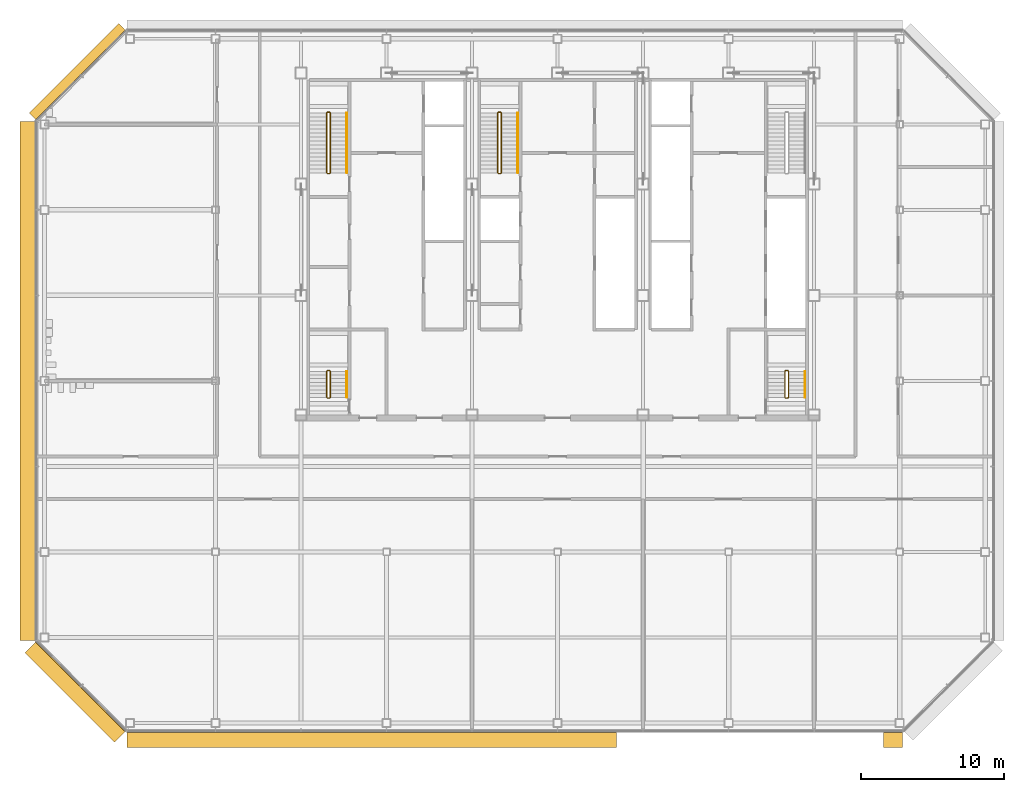
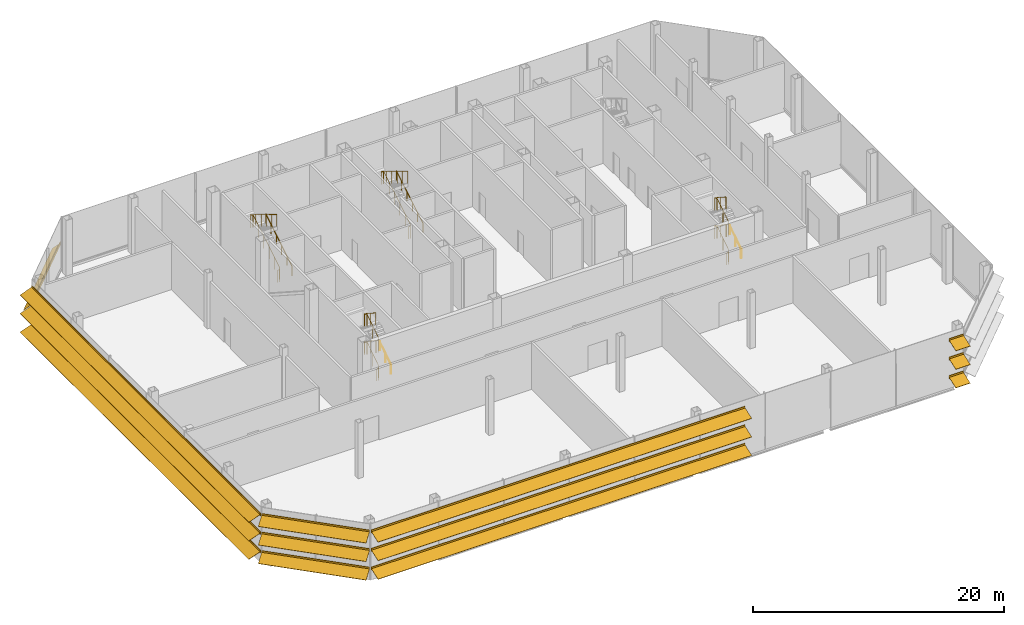
# One storey, part 24 of 26: 10 railings, 5 shading devices.
"""IFC4 building model written with IfcOpenShell, lengths in metres."""

from ifc_helpers import new_model, si_unit, direction, frame, origin, origin_2d, place, context, subcontext, project, spatial, polyline, circle, outline, composite_profile, extrude, material, type_object, element, save


model = new_model("IFC4")

# Units and contexts
model_context = context("Model", 3, precision=1e-05, world=origin(), true_north=direction((0.0, 1.0)))
body_context = subcontext(model_context, "Body", "Model", "MODEL_VIEW")
ifc_project = project(units=[si_unit("LENGTHUNIT", "METRE"), si_unit("AREAUNIT", "SQUARE_METRE"), si_unit("VOLUMEUNIT", "CUBIC_METRE"), si_unit("PLANEANGLEUNIT", "RADIAN"), si_unit("MASSUNIT", "GRAM", prefix="KILO")], contexts=[model_context])

# Site, building, storey
site_placement = place(None, origin())
site = spatial("IfcSite", under=ifc_project, at=site_placement, CompositionType="ELEMENT")
building_placement = place(site_placement, origin())
building = spatial("IfcBuilding", under=site, at=building_placement, Name="Sorahane Residences", CompositionType="ELEMENT")
storey_placement = place(building_placement, frame((0.0, 0.0, 257.60009765625)))
storey = spatial("IfcBuildingStorey", under=building, at=storey_placement, Name="L61", CompositionType="ELEMENT", Elevation=257.60009765625)

# Shading devices
ifc_material_1 = material(Name="Terracotta anodised aluminium", Category="masonry")
shading_device_type_1 = type_object("IfcShadingDeviceType", Name="Louvre sunshade blade NW terracotta aluminium 700", PredefinedType="JALOUSIE", material=ifc_material_1)
shading_device_1_placement = place(storey_placement, frame((-6.283935546875, 48.564697265625, 2.699951171875), z_axis=(-0.707106781187, -0.707106781187, 0.0), x_axis=(0.707106781187, -0.707106781187, 0.0)))
element("IfcShadingDevice", 1, at=shading_device_1_placement, inside=storey, type_object=shading_device_type_1, Name="Louvre sunshade blade bank NW L61 NW1", PredefinedType="JALOUSIE", context=body_context, shape_type="SweptSolid", body=[
    extrude(outline(polyline([(-0.719970703125, -0.660888671875), (-0.719970703125, -0.69091796875), (-0.080078125, -0.072998046875), (-0.080078125, -0.14990234375), (-0.02001953125, -0.14990234375), (-0.02001953125, -0.014892578125), (-0.02001953125, 0.014892578125), (-0.02001953125, 0.14990234375), (-0.080078125, 0.14990234375), (-0.080078125, -0.04296875), (-0.719970703125, -0.660888671875)])), origin(), (0.0, 0.0, 1.0), 8.88232421875),
])
ifc_material_2 = material(Name="Terracotta anodised aluminium", Category="masonry")
shading_device_type_2 = type_object("IfcShadingDeviceType", Name="Louvre sunshade blade S terracotta aluminium 1100", PredefinedType="JALOUSIE", material=ifc_material_2)
shading_device_2_placement = place(storey_placement, frame((-6.198486328125, -0.60009765625, 0.89990234375), z_axis=(1.0, 0.0, 0.0), x_axis=(0.0, 1.0, 0.0)))
element("IfcShadingDevice", 2, at=shading_device_2_placement, inside=storey, type_object=shading_device_type_2, Name="Louvre sunshade blade bank S L61 S1", PredefinedType="JALOUSIE", context=body_context, shape_type="SweptSolid", body=[
    extrude(composite_profile([outline(polyline([(-1.1201171875, -0.385498046875), (-1.1201171875, -0.415283203125), (-0.080078125, -0.036865234375), (-0.080078125, -0.14990234375), (-0.02001953125, -0.14990234375), (-0.02001953125, -0.014892578125), (-0.02001953125, 0.014892578125), (-0.02001953125, 0.14990234375), (-0.080078125, 0.14990234375), (-0.080078125, -0.0068359375), (-1.1201171875, -0.385498046875)])), outline(polyline([(-1.1201171875, 1.41455078125), (-1.1201171875, 1.384521484375), (-0.080078125, 1.76318359375), (-0.080078125, 1.64990234375), (-0.02001953125, 1.64990234375), (-0.02001953125, 1.784912109375), (-0.02001953125, 1.81494140625), (-0.02001953125, 1.949951171875), (-0.080078125, 1.949951171875), (-0.080078125, 1.793212890625), (-1.1201171875, 1.41455078125)])), outline(polyline([(-1.1201171875, 3.214599609375), (-1.1201171875, 3.1845703125), (-0.080078125, 3.563232421875), (-0.080078125, 3.449951171875), (-0.02001953125, 3.449951171875), (-0.02001953125, 3.5849609375), (-0.02001953125, 3.614990234375), (-0.02001953125, 3.75), (-0.080078125, 3.75), (-0.080078125, 3.59326171875), (-1.1201171875, 3.214599609375)]))]), origin(), (0.0, 0.0, 1.0), 34.3291015625),
])
shading_device_3_placement = place(storey_placement, frame((46.869384765625, -0.60009765625, 0.89990234375), z_axis=(1.0, 0.0, 0.0), x_axis=(0.0, 1.0, 0.0)))
element("IfcShadingDevice", 3, at=shading_device_3_placement, inside=storey, type_object=shading_device_type_2, Name="Louvre sunshade blade bank S L61 S1 part 2", PredefinedType="JALOUSIE", context=body_context, shape_type="SweptSolid", body=[
    extrude(composite_profile([outline(polyline([(-1.1201171875, -0.385498046875), (-1.1201171875, -0.415283203125), (-0.080078125, -0.036865234375), (-0.080078125, -0.14990234375), (-0.02001953125, -0.14990234375), (-0.02001953125, -0.014892578125), (-0.02001953125, 0.014892578125), (-0.02001953125, 0.14990234375), (-0.080078125, 0.14990234375), (-0.080078125, -0.0068359375), (-1.1201171875, -0.385498046875)])), outline(polyline([(-1.1201171875, 1.41455078125), (-1.1201171875, 1.384521484375), (-0.080078125, 1.76318359375), (-0.080078125, 1.64990234375), (-0.02001953125, 1.64990234375), (-0.02001953125, 1.784912109375), (-0.02001953125, 1.81494140625), (-0.02001953125, 1.949951171875), (-0.080078125, 1.949951171875), (-0.080078125, 1.793212890625), (-1.1201171875, 1.41455078125)])), outline(polyline([(-1.1201171875, 3.214599609375), (-1.1201171875, 3.1845703125), (-0.080078125, 3.563232421875), (-0.080078125, 3.449951171875), (-0.02001953125, 3.449951171875), (-0.02001953125, 3.5849609375), (-0.02001953125, 3.614990234375), (-0.02001953125, 3.75), (-0.080078125, 3.75), (-0.080078125, 3.59326171875), (-1.1201171875, 3.214599609375)]))]), origin(), (0.0, 0.0, 1.0), 1.3291015625),
])
ifc_material_3 = material(Name="Terracotta anodised aluminium", Category="masonry")
shading_device_type_3 = type_object("IfcShadingDeviceType", Name="Louvre sunshade blade SW terracotta aluminium 1100", PredefinedType="JALOUSIE", material=ifc_material_3)
shading_device_4_placement = place(storey_placement, frame((-12.564697265625, 5.716064453125, 0.89990234375), z_axis=(0.707106781187, -0.707106781187, 0.0), x_axis=(0.707106781187, 0.707106781187, 0.0)))
element("IfcShadingDevice", 4, at=shading_device_4_placement, inside=storey, type_object=shading_device_type_3, Name="Louvre sunshade blade bank SW L61 SW1", PredefinedType="JALOUSIE", context=body_context, shape_type="SweptSolid", body=[
    extrude(composite_profile([outline(polyline([(-1.1201171875, -0.385498046875), (-1.1201171875, -0.415283203125), (-0.080078125, -0.036865234375), (-0.080078125, -0.14990234375), (-0.02001953125, -0.14990234375), (-0.02001953125, -0.014892578125), (-0.02001953125, 0.014892578125), (-0.02001953125, 0.14990234375), (-0.080078125, 0.14990234375), (-0.080078125, -0.0068359375), (-1.1201171875, -0.385498046875)])), outline(polyline([(-1.1201171875, 1.41455078125), (-1.1201171875, 1.384521484375), (-0.080078125, 1.76318359375), (-0.080078125, 1.64990234375), (-0.02001953125, 1.64990234375), (-0.02001953125, 1.784912109375), (-0.02001953125, 1.81494140625), (-0.02001953125, 1.949951171875), (-0.080078125, 1.949951171875), (-0.080078125, 1.793212890625), (-1.1201171875, 1.41455078125)])), outline(polyline([(-1.1201171875, 3.214599609375), (-1.1201171875, 3.1845703125), (-0.080078125, 3.563232421875), (-0.080078125, 3.449951171875), (-0.02001953125, 3.449951171875), (-0.02001953125, 3.5849609375), (-0.02001953125, 3.614990234375), (-0.02001953125, 3.75), (-0.080078125, 3.75), (-0.080078125, 3.59326171875), (-1.1201171875, 3.214599609375)]))]), origin(), (0.0, 0.0, 1.0), 8.88232421875),
])
ifc_material_4 = material(Name="Terracotta anodised aluminium", Category="masonry")
shading_device_type_4 = type_object("IfcShadingDeviceType", Name="Louvre sunshade blade W terracotta aluminium 1100", PredefinedType="JALOUSIE", material=ifc_material_4)
shading_device_5_placement = place(storey_placement, frame((-12.60009765625, 42.198486328125, 0.89990234375), z_axis=(0.0, -1.0, 0.0), x_axis=(1.0, 0.0, 0.0)))
element("IfcShadingDevice", 5, at=shading_device_5_placement, inside=storey, type_object=shading_device_type_4, Name="Louvre sunshade blade bank W L61 W1", PredefinedType="JALOUSIE", context=body_context, shape_type="SweptSolid", body=[
    extrude(composite_profile([outline(polyline([(-1.1201171875, -0.385498046875), (-1.1201171875, -0.415283203125), (-0.080078125, -0.036865234375), (-0.080078125, -0.14990234375), (-0.02001953125, -0.14990234375), (-0.02001953125, -0.014892578125), (-0.02001953125, 0.014892578125), (-0.02001953125, 0.14990234375), (-0.080078125, 0.14990234375), (-0.080078125, -0.0068359375), (-1.1201171875, -0.385498046875)])), outline(polyline([(-1.1201171875, 1.41455078125), (-1.1201171875, 1.384521484375), (-0.080078125, 1.76318359375), (-0.080078125, 1.64990234375), (-0.02001953125, 1.64990234375), (-0.02001953125, 1.784912109375), (-0.02001953125, 1.81494140625), (-0.02001953125, 1.949951171875), (-0.080078125, 1.949951171875), (-0.080078125, 1.793212890625), (-1.1201171875, 1.41455078125)])), outline(polyline([(-1.1201171875, 3.214599609375), (-1.1201171875, 3.1845703125), (-0.080078125, 3.563232421875), (-0.080078125, 3.449951171875), (-0.02001953125, 3.449951171875), (-0.02001953125, 3.5849609375), (-0.02001953125, 3.614990234375), (-0.02001953125, 3.75), (-0.080078125, 3.75), (-0.080078125, 3.59326171875), (-1.1201171875, 3.214599609375)]))]), origin(), (0.0, 0.0, 1.0), 36.39697265625),
])

# Railings
ifc_material_5 = material(Name="Steel Q355B", Category="steel")
railing_type_1 = type_object("IfcRailingType", Name="Stair guard 1200 Steel Q355B", PredefinedType="GUARDRAIL", material=ifc_material_5)
railing_1_placement = place(storey_placement, frame((7.85009765625, 38.550048828125, 0.0)))
element("IfcRailing", 6, at=railing_1_placement, inside=storey, type_object=railing_type_1, Name="L61 S1 stair guard 1", PredefinedType="GUARDRAIL", context=body_context, shape_type="SweptSolid", body=[
    extrude(circle(Radius=0.02392578125, at=origin_2d()), frame((0.0, 0.0, 1.17578125), z_axis=(1.0, 0.0, 0.0), x_axis=(0.0, 1.0, 0.0)), (0.0, 0.0, 1.0), 0.14990234375),
    extrude(circle(Radius=0.02392578125, at=origin_2d()), frame((0.14990234375, 0.0, 1.17578125), z_axis=(0.273569069059, 0.273569069059, 0.922127935218), x_axis=(-0.707106781187, 0.707106781187, 0.0)), (0.0, 0.0, 1.0), 0.182861328125),
    extrude(circle(Radius=0.02392578125, at=origin_2d()), frame((0.199951171875, 0.050048828125, 1.3447265625), z_axis=(0.0, 0.856476492594, 0.516186030065), x_axis=(-1.0, 0.0, 0.0)), (0.0, 0.0, 1.0), 4.90380859375),
    extrude(circle(Radius=0.02392578125, at=origin_2d()), frame((0.199951171875, 4.25, 3.8759765625), z_axis=(-0.707106781187, 0.707106781187, 0.0), x_axis=(-0.707106781187, -0.707106781187, 0.0)), (0.0, 0.0, 1.0), 0.07080078125),
    extrude(circle(Radius=0.02392578125, at=origin_2d()), frame((0.14990234375, 4.300048828125, 3.8759765625), z_axis=(-1.0, 0.0, 0.0), x_axis=(0.0, -1.0, 0.0)), (0.0, 0.0, 1.0), 0.14990234375),
    extrude(circle(Radius=0.02392578125, at=origin_2d()), frame((0.0, 4.300048828125, 3.8759765625), z_axis=(-0.273569069059, -0.273569069059, 0.922127935218), x_axis=(0.707106781187, -0.707106781187, 0.0)), (0.0, 0.0, 1.0), 0.182861328125),
    extrude(circle(Radius=0.02392578125, at=origin_2d()), frame((-0.050048828125, 4.25, 4.04443359375), z_axis=(0.0, -0.856476492594, 0.516186030065), x_axis=(1.0, 0.0, 0.0)), (0.0, 0.0, 1.0), 4.90380859375),
    extrude(circle(Radius=0.02099609375, at=origin_2d()), origin(), (0.0, 0.0, 1.0), 1.15185546875),
    extrude(circle(Radius=0.02099609375, at=origin_2d()), frame((0.14990234375, 0.0, 0.0)), (0.0, 0.0, 1.0), 1.15185546875),
    extrude(circle(Radius=0.02099609375, at=origin_2d()), frame((0.199951171875, 0.050048828125, 0.168701171875)), (0.0, 0.0, 1.0), 1.15185546875),
    extrude(circle(Radius=0.02099609375, at=origin_2d()), frame((0.199951171875, 0.89013671875, 0.675048828125)), (0.0, 0.0, 1.0), 1.15185546875),
    extrude(circle(Radius=0.02099609375, at=origin_2d()), frame((0.199951171875, 1.72998046875, 1.18115234375)), (0.0, 0.0, 1.0), 1.15185546875),
    extrude(circle(Radius=0.02099609375, at=origin_2d()), frame((0.199951171875, 2.570068359375, 1.6875)), (0.0, 0.0, 1.0), 1.15185546875),
    extrude(circle(Radius=0.02099609375, at=origin_2d()), frame((0.199951171875, 3.409912109375, 2.193603515625)), (0.0, 0.0, 1.0), 1.15185546875),
    extrude(circle(Radius=0.02099609375, at=origin_2d()), frame((0.199951171875, 4.25, 2.699951171875)), (0.0, 0.0, 1.0), 1.15185546875),
    extrude(circle(Radius=0.02099609375, at=origin_2d()), frame((0.14990234375, 4.300048828125, 2.699951171875)), (0.0, 0.0, 1.0), 1.15185546875),
    extrude(circle(Radius=0.02099609375, at=origin_2d()), frame((0.0, 4.300048828125, 2.699951171875)), (0.0, 0.0, 1.0), 1.15185546875),
    extrude(circle(Radius=0.02099609375, at=origin_2d()), frame((-0.050048828125, 4.25, 2.86865234375)), (0.0, 0.0, 1.0), 1.15185546875),
    extrude(circle(Radius=0.02099609375, at=origin_2d()), frame((-0.050048828125, 3.409912109375, 3.375)), (0.0, 0.0, 1.0), 1.15185546875),
    extrude(circle(Radius=0.02099609375, at=origin_2d()), frame((-0.050048828125, 2.570068359375, 3.881103515625)), (0.0, 0.0, 1.0), 1.15185546875),
    extrude(circle(Radius=0.02099609375, at=origin_2d()), frame((-0.050048828125, 1.72998046875, 4.387451171875)), (0.0, 0.0, 1.0), 1.15185546875),
    extrude(circle(Radius=0.02099609375, at=origin_2d()), frame((-0.050048828125, 0.89013671875, 4.8935546875)), (0.0, 0.0, 1.0), 1.15185546875),
    extrude(circle(Radius=0.02099609375, at=origin_2d()), frame((-0.050048828125, 0.050048828125, 5.39990234375)), (0.0, 0.0, 1.0), 1.15185546875),
])
railing_2_placement = place(storey_placement, frame((19.85009765625, 38.550048828125, 0.0)))
element("IfcRailing", 7, at=railing_2_placement, inside=storey, type_object=railing_type_1, Name="L61 S3 stair guard 1", PredefinedType="GUARDRAIL", context=body_context, shape_type="SweptSolid", body=[
    extrude(circle(Radius=0.02392578125, at=origin_2d()), frame((0.0, 0.0, 1.17578125), z_axis=(1.0, 0.0, 0.0), x_axis=(0.0, 1.0, 0.0)), (0.0, 0.0, 1.0), 0.14990234375),
    extrude(circle(Radius=0.02392578125, at=origin_2d()), frame((0.14990234375, 0.0, 1.17578125), z_axis=(0.273569069059, 0.273569069059, 0.922127935218), x_axis=(-0.707106781187, 0.707106781187, 0.0)), (0.0, 0.0, 1.0), 0.182861328125),
    extrude(circle(Radius=0.02392578125, at=origin_2d()), frame((0.199951171875, 0.050048828125, 1.3447265625), z_axis=(0.0, 0.856476492594, 0.516186030065), x_axis=(-1.0, 0.0, 0.0)), (0.0, 0.0, 1.0), 4.90380859375),
    extrude(circle(Radius=0.02392578125, at=origin_2d()), frame((0.199951171875, 4.25, 3.8759765625), z_axis=(-0.707106781187, 0.707106781187, 0.0), x_axis=(-0.707106781187, -0.707106781187, 0.0)), (0.0, 0.0, 1.0), 0.07080078125),
    extrude(circle(Radius=0.02392578125, at=origin_2d()), frame((0.14990234375, 4.300048828125, 3.8759765625), z_axis=(-1.0, 0.0, 0.0), x_axis=(0.0, -1.0, 0.0)), (0.0, 0.0, 1.0), 0.14990234375),
    extrude(circle(Radius=0.02392578125, at=origin_2d()), frame((0.0, 4.300048828125, 3.8759765625), z_axis=(-0.273569069059, -0.273569069059, 0.922127935218), x_axis=(0.707106781187, -0.707106781187, 0.0)), (0.0, 0.0, 1.0), 0.182861328125),
    extrude(circle(Radius=0.02392578125, at=origin_2d()), frame((-0.050048828125, 4.25, 4.04443359375), z_axis=(0.0, -0.856476492594, 0.516186030065), x_axis=(1.0, 0.0, 0.0)), (0.0, 0.0, 1.0), 4.90380859375),
    extrude(circle(Radius=0.02099609375, at=origin_2d()), origin(), (0.0, 0.0, 1.0), 1.15185546875),
    extrude(circle(Radius=0.02099609375, at=origin_2d()), frame((0.14990234375, 0.0, 0.0)), (0.0, 0.0, 1.0), 1.15185546875),
    extrude(circle(Radius=0.02099609375, at=origin_2d()), frame((0.199951171875, 0.050048828125, 0.168701171875)), (0.0, 0.0, 1.0), 1.15185546875),
    extrude(circle(Radius=0.02099609375, at=origin_2d()), frame((0.199951171875, 0.89013671875, 0.675048828125)), (0.0, 0.0, 1.0), 1.15185546875),
    extrude(circle(Radius=0.02099609375, at=origin_2d()), frame((0.199951171875, 1.72998046875, 1.18115234375)), (0.0, 0.0, 1.0), 1.15185546875),
    extrude(circle(Radius=0.02099609375, at=origin_2d()), frame((0.199951171875, 2.570068359375, 1.6875)), (0.0, 0.0, 1.0), 1.15185546875),
    extrude(circle(Radius=0.02099609375, at=origin_2d()), frame((0.199951171875, 3.409912109375, 2.193603515625)), (0.0, 0.0, 1.0), 1.15185546875),
    extrude(circle(Radius=0.02099609375, at=origin_2d()), frame((0.199951171875, 4.25, 2.699951171875)), (0.0, 0.0, 1.0), 1.15185546875),
    extrude(circle(Radius=0.02099609375, at=origin_2d()), frame((0.14990234375, 4.300048828125, 2.699951171875)), (0.0, 0.0, 1.0), 1.15185546875),
    extrude(circle(Radius=0.02099609375, at=origin_2d()), frame((0.0, 4.300048828125, 2.699951171875)), (0.0, 0.0, 1.0), 1.15185546875),
    extrude(circle(Radius=0.02099609375, at=origin_2d()), frame((-0.050048828125, 4.25, 2.86865234375)), (0.0, 0.0, 1.0), 1.15185546875),
    extrude(circle(Radius=0.02099609375, at=origin_2d()), frame((-0.050048828125, 3.409912109375, 3.375)), (0.0, 0.0, 1.0), 1.15185546875),
    extrude(circle(Radius=0.02099609375, at=origin_2d()), frame((-0.050048828125, 2.570068359375, 3.881103515625)), (0.0, 0.0, 1.0), 1.15185546875),
    extrude(circle(Radius=0.02099609375, at=origin_2d()), frame((-0.050048828125, 1.72998046875, 4.387451171875)), (0.0, 0.0, 1.0), 1.15185546875),
    extrude(circle(Radius=0.02099609375, at=origin_2d()), frame((-0.050048828125, 0.89013671875, 4.8935546875)), (0.0, 0.0, 1.0), 1.15185546875),
    extrude(circle(Radius=0.02099609375, at=origin_2d()), frame((-0.050048828125, 0.050048828125, 5.39990234375)), (0.0, 0.0, 1.0), 1.15185546875),
])
railing_3_placement = place(storey_placement, frame((7.85009765625, 22.800048828125, 0.0)))
element("IfcRailing", 8, at=railing_3_placement, inside=storey, type_object=railing_type_1, Name="L61 S4 stair guard 1", PredefinedType="GUARDRAIL", context=body_context, shape_type="SweptSolid", body=[
    extrude(circle(Radius=0.02392578125, at=origin_2d()), frame((0.0, 0.0, 1.17578125), z_axis=(1.0, 0.0, 0.0), x_axis=(0.0, 1.0, 0.0)), (0.0, 0.0, 1.0), 0.14990234375),
    extrude(circle(Radius=0.02392578125, at=origin_2d()), frame((0.14990234375, 0.0, 1.17578125), z_axis=(0.273569069059, 0.273569069059, 0.922127935218), x_axis=(-0.707106781187, 0.707106781187, 0.0)), (0.0, 0.0, 1.0), 0.182861328125),
    extrude(circle(Radius=0.02392578125, at=origin_2d()), frame((0.199951171875, 0.050048828125, 1.3447265625), z_axis=(0.0, 0.838808512231, 0.544426560528), x_axis=(-1.0, 0.0, 0.0)), (0.0, 0.0, 1.0), 2.16943359375),
    extrude(circle(Radius=0.02392578125, at=origin_2d()), frame((0.199951171875, 1.869873046875, 2.52587890625), z_axis=(-0.707106781187, 0.707106781187, 0.0), x_axis=(-0.707106781187, -0.707106781187, 0.0)), (0.0, 0.0, 1.0), 0.07080078125),
    extrude(circle(Radius=0.02392578125, at=origin_2d()), frame((0.14990234375, 1.919921875, 2.52587890625), z_axis=(-1.0, 0.0, 0.0), x_axis=(0.0, -1.0, 0.0)), (0.0, 0.0, 1.0), 0.14990234375),
    extrude(circle(Radius=0.02392578125, at=origin_2d()), frame((0.0, 1.919921875, 2.52587890625), z_axis=(-0.273569069059, -0.273569069059, 0.922127935218), x_axis=(0.707106781187, -0.707106781187, 0.0)), (0.0, 0.0, 1.0), 0.182861328125),
    extrude(circle(Radius=0.02392578125, at=origin_2d()), frame((-0.050048828125, 1.869873046875, 2.6943359375), z_axis=(0.0, -0.838757122003, 0.544505730262), x_axis=(1.0, 0.0, 0.0)), (0.0, 0.0, 1.0), 2.169677734375),
    extrude(circle(Radius=0.02099609375, at=origin_2d()), origin(), (0.0, 0.0, 1.0), 1.15185546875),
    extrude(circle(Radius=0.02099609375, at=origin_2d()), frame((0.14990234375, 0.0, 0.0)), (0.0, 0.0, 1.0), 1.15185546875),
    extrude(circle(Radius=0.02099609375, at=origin_2d()), frame((0.199951171875, 0.050048828125, 0.168701171875)), (0.0, 0.0, 1.0), 1.15185546875),
    extrude(circle(Radius=0.02099609375, at=origin_2d()), frame((0.199951171875, 0.9599609375, 0.75927734375)), (0.0, 0.0, 1.0), 1.15185546875),
    extrude(circle(Radius=0.02099609375, at=origin_2d()), frame((0.199951171875, 1.869873046875, 1.349853515625)), (0.0, 0.0, 1.0), 1.15185546875),
    extrude(circle(Radius=0.02099609375, at=origin_2d()), frame((0.14990234375, 1.919921875, 1.349853515625)), (0.0, 0.0, 1.0), 1.15185546875),
    extrude(circle(Radius=0.02099609375, at=origin_2d()), frame((0.0, 1.919921875, 1.349853515625)), (0.0, 0.0, 1.0), 1.15185546875),
    extrude(circle(Radius=0.02099609375, at=origin_2d()), frame((-0.050048828125, 1.869873046875, 1.5185546875)), (0.0, 0.0, 1.0), 1.15185546875),
    extrude(circle(Radius=0.02099609375, at=origin_2d()), frame((-0.050048828125, 0.9599609375, 2.109375)), (0.0, 0.0, 1.0), 1.15185546875),
    extrude(circle(Radius=0.02099609375, at=origin_2d()), frame((-0.050048828125, 0.050048828125, 2.699951171875)), (0.0, 0.0, 1.0), 1.15185546875),
])
railing_4_placement = place(storey_placement, frame((7.85009765625, 22.800048828125, 2.699951171875)))
element("IfcRailing", 9, at=railing_4_placement, inside=storey, type_object=railing_type_1, Name="L61 S4 stair guard 2", PredefinedType="GUARDRAIL", context=body_context, shape_type="SweptSolid", body=[
    extrude(circle(Radius=0.02392578125, at=origin_2d()), frame((0.0, 0.0, 1.17578125), z_axis=(1.0, 0.0, 0.0), x_axis=(0.0, 1.0, 0.0)), (0.0, 0.0, 1.0), 0.14990234375),
    extrude(circle(Radius=0.02392578125, at=origin_2d()), frame((0.14990234375, 0.0, 1.17578125), z_axis=(0.273569069059, 0.273569069059, 0.922127935218), x_axis=(-0.707106781187, 0.707106781187, 0.0)), (0.0, 0.0, 1.0), 0.182861328125),
    extrude(circle(Radius=0.02392578125, at=origin_2d()), frame((0.199951171875, 0.050048828125, 1.3447265625), z_axis=(0.0, 0.838808512231, 0.544426560528), x_axis=(-1.0, 0.0, 0.0)), (0.0, 0.0, 1.0), 2.16943359375),
    extrude(circle(Radius=0.02392578125, at=origin_2d()), frame((0.199951171875, 1.869873046875, 2.52587890625), z_axis=(-0.707106781187, 0.707106781187, 0.0), x_axis=(-0.707106781187, -0.707106781187, 0.0)), (0.0, 0.0, 1.0), 0.07080078125),
    extrude(circle(Radius=0.02392578125, at=origin_2d()), frame((0.14990234375, 1.919921875, 2.52587890625), z_axis=(-1.0, 0.0, 0.0), x_axis=(0.0, -1.0, 0.0)), (0.0, 0.0, 1.0), 0.14990234375),
    extrude(circle(Radius=0.02392578125, at=origin_2d()), frame((0.0, 1.919921875, 2.52587890625), z_axis=(-0.273232802156, -0.273232802156, 0.922327312645), x_axis=(0.707106781187, -0.707106781187, 0.0)), (0.0, 0.0, 1.0), 0.18310546875),
    extrude(circle(Radius=0.02392578125, at=origin_2d()), frame((-0.050048828125, 1.869873046875, 2.69482421875), z_axis=(0.0, -0.838808512231, 0.544426560528), x_axis=(1.0, 0.0, 0.0)), (0.0, 0.0, 1.0), 2.16943359375),
    extrude(circle(Radius=0.02099609375, at=origin_2d()), origin(), (0.0, 0.0, 1.0), 1.15185546875),
    extrude(circle(Radius=0.02099609375, at=origin_2d()), frame((0.14990234375, 0.0, 0.0)), (0.0, 0.0, 1.0), 1.15185546875),
    extrude(circle(Radius=0.02099609375, at=origin_2d()), frame((0.199951171875, 0.050048828125, 0.168701171875)), (0.0, 0.0, 1.0), 1.15185546875),
    extrude(circle(Radius=0.02099609375, at=origin_2d()), frame((0.199951171875, 0.9599609375, 0.75927734375)), (0.0, 0.0, 1.0), 1.15185546875),
    extrude(circle(Radius=0.02099609375, at=origin_2d()), frame((0.199951171875, 1.869873046875, 1.349853515625)), (0.0, 0.0, 1.0), 1.15185546875),
    extrude(circle(Radius=0.02099609375, at=origin_2d()), frame((0.14990234375, 1.919921875, 1.349853515625)), (0.0, 0.0, 1.0), 1.15185546875),
    extrude(circle(Radius=0.02099609375, at=origin_2d()), frame((0.0, 1.919921875, 1.349853515625)), (0.0, 0.0, 1.0), 1.15185546875),
    extrude(circle(Radius=0.02099609375, at=origin_2d()), frame((-0.050048828125, 1.869873046875, 1.518798828125)), (0.0, 0.0, 1.0), 1.15185546875),
    extrude(circle(Radius=0.02099609375, at=origin_2d()), frame((-0.050048828125, 0.9599609375, 2.109375)), (0.0, 0.0, 1.0), 1.15185546875),
    extrude(circle(Radius=0.02099609375, at=origin_2d()), frame((-0.050048828125, 0.050048828125, 2.699951171875)), (0.0, 0.0, 1.0), 1.15185546875),
])
railing_5_placement = place(storey_placement, frame((40.0, 22.800048828125, 0.0)))
element("IfcRailing", 10, at=railing_5_placement, inside=storey, type_object=railing_type_1, Name="L61 S5 stair guard 1", PredefinedType="GUARDRAIL", context=body_context, shape_type="SweptSolid", body=[
    extrude(circle(Radius=0.02392578125, at=origin_2d()), frame((0.0, 0.0, 1.17578125), z_axis=(1.0, 0.0, 0.0), x_axis=(0.0, 1.0, 0.0)), (0.0, 0.0, 1.0), 0.14990234375),
    extrude(circle(Radius=0.02392578125, at=origin_2d()), frame((0.14990234375, 0.0, 1.17578125), z_axis=(0.273569069059, 0.273569069059, 0.922127935218), x_axis=(-0.707106781187, 0.707106781187, 0.0)), (0.0, 0.0, 1.0), 0.182861328125),
    extrude(circle(Radius=0.02392578125, at=origin_2d()), frame((0.199951171875, 0.050048828125, 1.3447265625), z_axis=(0.0, 0.838808512231, 0.544426560528), x_axis=(-1.0, 0.0, 0.0)), (0.0, 0.0, 1.0), 2.16943359375),
    extrude(circle(Radius=0.02392578125, at=origin_2d()), frame((0.199951171875, 1.869873046875, 2.52587890625), z_axis=(-0.707106781187, 0.707106781187, 0.0), x_axis=(-0.707106781187, -0.707106781187, 0.0)), (0.0, 0.0, 1.0), 0.07080078125),
    extrude(circle(Radius=0.02392578125, at=origin_2d()), frame((0.14990234375, 1.919921875, 2.52587890625), z_axis=(-1.0, 0.0, 0.0), x_axis=(0.0, -1.0, 0.0)), (0.0, 0.0, 1.0), 0.14990234375),
    extrude(circle(Radius=0.02392578125, at=origin_2d()), frame((0.0, 1.919921875, 2.52587890625), z_axis=(-0.273569069059, -0.273569069059, 0.922127935218), x_axis=(0.707106781187, -0.707106781187, 0.0)), (0.0, 0.0, 1.0), 0.182861328125),
    extrude(circle(Radius=0.02392578125, at=origin_2d()), frame((-0.050048828125, 1.869873046875, 2.6943359375), z_axis=(0.0, -0.838757122003, 0.544505730262), x_axis=(1.0, 0.0, 0.0)), (0.0, 0.0, 1.0), 2.169677734375),
    extrude(circle(Radius=0.02099609375, at=origin_2d()), origin(), (0.0, 0.0, 1.0), 1.15185546875),
    extrude(circle(Radius=0.02099609375, at=origin_2d()), frame((0.14990234375, 0.0, 0.0)), (0.0, 0.0, 1.0), 1.15185546875),
    extrude(circle(Radius=0.02099609375, at=origin_2d()), frame((0.199951171875, 0.050048828125, 0.168701171875)), (0.0, 0.0, 1.0), 1.15185546875),
    extrude(circle(Radius=0.02099609375, at=origin_2d()), frame((0.199951171875, 0.9599609375, 0.75927734375)), (0.0, 0.0, 1.0), 1.15185546875),
    extrude(circle(Radius=0.02099609375, at=origin_2d()), frame((0.199951171875, 1.869873046875, 1.349853515625)), (0.0, 0.0, 1.0), 1.15185546875),
    extrude(circle(Radius=0.02099609375, at=origin_2d()), frame((0.14990234375, 1.919921875, 1.349853515625)), (0.0, 0.0, 1.0), 1.15185546875),
    extrude(circle(Radius=0.02099609375, at=origin_2d()), frame((0.0, 1.919921875, 1.349853515625)), (0.0, 0.0, 1.0), 1.15185546875),
    extrude(circle(Radius=0.02099609375, at=origin_2d()), frame((-0.050048828125, 1.869873046875, 1.5185546875)), (0.0, 0.0, 1.0), 1.15185546875),
    extrude(circle(Radius=0.02099609375, at=origin_2d()), frame((-0.050048828125, 0.9599609375, 2.109375)), (0.0, 0.0, 1.0), 1.15185546875),
    extrude(circle(Radius=0.02099609375, at=origin_2d()), frame((-0.050048828125, 0.050048828125, 2.699951171875)), (0.0, 0.0, 1.0), 1.15185546875),
])
railing_6_placement = place(storey_placement, frame((40.0, 22.800048828125, 2.699951171875)))
element("IfcRailing", 11, at=railing_6_placement, inside=storey, type_object=railing_type_1, Name="L61 S5 stair guard 2", PredefinedType="GUARDRAIL", context=body_context, shape_type="SweptSolid", body=[
    extrude(circle(Radius=0.02392578125, at=origin_2d()), frame((0.0, 0.0, 1.17578125), z_axis=(1.0, 0.0, 0.0), x_axis=(0.0, 1.0, 0.0)), (0.0, 0.0, 1.0), 0.14990234375),
    extrude(circle(Radius=0.02392578125, at=origin_2d()), frame((0.14990234375, 0.0, 1.17578125), z_axis=(0.273569069059, 0.273569069059, 0.922127935218), x_axis=(-0.707106781187, 0.707106781187, 0.0)), (0.0, 0.0, 1.0), 0.182861328125),
    extrude(circle(Radius=0.02392578125, at=origin_2d()), frame((0.199951171875, 0.050048828125, 1.3447265625), z_axis=(0.0, 0.838808512231, 0.544426560528), x_axis=(-1.0, 0.0, 0.0)), (0.0, 0.0, 1.0), 2.16943359375),
    extrude(circle(Radius=0.02392578125, at=origin_2d()), frame((0.199951171875, 1.869873046875, 2.52587890625), z_axis=(-0.707106781187, 0.707106781187, 0.0), x_axis=(-0.707106781187, -0.707106781187, 0.0)), (0.0, 0.0, 1.0), 0.07080078125),
    extrude(circle(Radius=0.02392578125, at=origin_2d()), frame((0.14990234375, 1.919921875, 2.52587890625), z_axis=(-1.0, 0.0, 0.0), x_axis=(0.0, -1.0, 0.0)), (0.0, 0.0, 1.0), 0.14990234375),
    extrude(circle(Radius=0.02392578125, at=origin_2d()), frame((0.0, 1.919921875, 2.52587890625), z_axis=(-0.273232802156, -0.273232802156, 0.922327312645), x_axis=(0.707106781187, -0.707106781187, 0.0)), (0.0, 0.0, 1.0), 0.18310546875),
    extrude(circle(Radius=0.02392578125, at=origin_2d()), frame((-0.050048828125, 1.869873046875, 2.69482421875), z_axis=(0.0, -0.838808512231, 0.544426560528), x_axis=(1.0, 0.0, 0.0)), (0.0, 0.0, 1.0), 2.16943359375),
    extrude(circle(Radius=0.02099609375, at=origin_2d()), origin(), (0.0, 0.0, 1.0), 1.15185546875),
    extrude(circle(Radius=0.02099609375, at=origin_2d()), frame((0.14990234375, 0.0, 0.0)), (0.0, 0.0, 1.0), 1.15185546875),
    extrude(circle(Radius=0.02099609375, at=origin_2d()), frame((0.199951171875, 0.050048828125, 0.168701171875)), (0.0, 0.0, 1.0), 1.15185546875),
    extrude(circle(Radius=0.02099609375, at=origin_2d()), frame((0.199951171875, 0.9599609375, 0.75927734375)), (0.0, 0.0, 1.0), 1.15185546875),
    extrude(circle(Radius=0.02099609375, at=origin_2d()), frame((0.199951171875, 1.869873046875, 1.349853515625)), (0.0, 0.0, 1.0), 1.15185546875),
    extrude(circle(Radius=0.02099609375, at=origin_2d()), frame((0.14990234375, 1.919921875, 1.349853515625)), (0.0, 0.0, 1.0), 1.15185546875),
    extrude(circle(Radius=0.02099609375, at=origin_2d()), frame((0.0, 1.919921875, 1.349853515625)), (0.0, 0.0, 1.0), 1.15185546875),
    extrude(circle(Radius=0.02099609375, at=origin_2d()), frame((-0.050048828125, 1.869873046875, 1.518798828125)), (0.0, 0.0, 1.0), 1.15185546875),
    extrude(circle(Radius=0.02099609375, at=origin_2d()), frame((-0.050048828125, 0.9599609375, 2.109375)), (0.0, 0.0, 1.0), 1.15185546875),
    extrude(circle(Radius=0.02099609375, at=origin_2d()), frame((-0.050048828125, 0.050048828125, 2.699951171875)), (0.0, 0.0, 1.0), 1.15185546875),
])
ifc_material_6 = material(Name="Steel Q355B", Category="steel")
railing_type_2 = type_object("IfcRailingType", Name="Stair handrail 900 Steel Q355B", PredefinedType="HANDRAIL", material=ifc_material_6)
for number, where, name in (
    (12, (9.199951171875, 38.60009765625, 0.168701171875), "L61 S1 stair handrail 1"),
    (13, (21.199951171875, 38.60009765625, 0.168701171875), "L61 S3 stair handrail 1"),
):
    element("IfcRailing", number, at=place(storey_placement, frame(where)), inside=storey, type_object=railing_type_2, Name=name, PredefinedType="HANDRAIL", context=body_context, shape_type="SweptSolid", body=[
        extrude(circle(Radius=0.02392578125, at=origin_2d()), frame((0.0, 0.0, 0.8759765625), z_axis=(0.0, 0.856476492594, 0.516186030065), x_axis=(-1.0, 0.0, 0.0)), (0.0, 0.0, 1.0), 4.90380859375),
        extrude(circle(Radius=0.02099609375, at=origin_2d()), origin(), (0.0, 0.0, 1.0), 0.851806640625),
        extrude(circle(Radius=0.02099609375, at=origin_2d()), frame((0.0, 0.840087890625, 0.50634765625)), (0.0, 0.0, 1.0), 0.851806640625),
        extrude(circle(Radius=0.02099609375, at=origin_2d()), frame((0.0, 1.679931640625, 1.012451171875)), (0.0, 0.0, 1.0), 0.851806640625),
        extrude(circle(Radius=0.02099609375, at=origin_2d()), frame((0.0, 2.52001953125, 1.518798828125)), (0.0, 0.0, 1.0), 0.851806640625),
        extrude(circle(Radius=0.02099609375, at=origin_2d()), frame((0.0, 3.35986328125, 2.02490234375)), (0.0, 0.0, 1.0), 0.851806640625),
        extrude(circle(Radius=0.02099609375, at=origin_2d()), frame((0.0, 4.199951171875, 2.53125)), (0.0, 0.0, 1.0), 0.851806640625),
    ])
for number, where, name in (
    (14, (9.199951171875, 22.85009765625, 0.168701171875), "L61 S4 stair handrail 1"),
    (15, (41.35009765625, 22.85009765625, 0.168701171875), "L61 S5 stair handrail 1"),
):
    element("IfcRailing", number, at=place(storey_placement, frame(where)), inside=storey, type_object=railing_type_2, Name=name, PredefinedType="HANDRAIL", context=body_context, shape_type="SweptSolid", body=[
        extrude(circle(Radius=0.02392578125, at=origin_2d()), frame((0.0, 0.0, 0.8759765625), z_axis=(0.0, 0.838808512231, 0.544426560528), x_axis=(-1.0, 0.0, 0.0)), (0.0, 0.0, 1.0), 2.16943359375),
        extrude(circle(Radius=0.02099609375, at=origin_2d()), origin(), (0.0, 0.0, 1.0), 0.851806640625),
        extrude(circle(Radius=0.02099609375, at=origin_2d()), frame((0.0, 0.909912109375, 0.590576171875)), (0.0, 0.0, 1.0), 0.851806640625),
        extrude(circle(Radius=0.02099609375, at=origin_2d()), frame((0.0, 1.81982421875, 1.18115234375)), (0.0, 0.0, 1.0), 0.851806640625),
    ])

save(model, "model.ifc")
